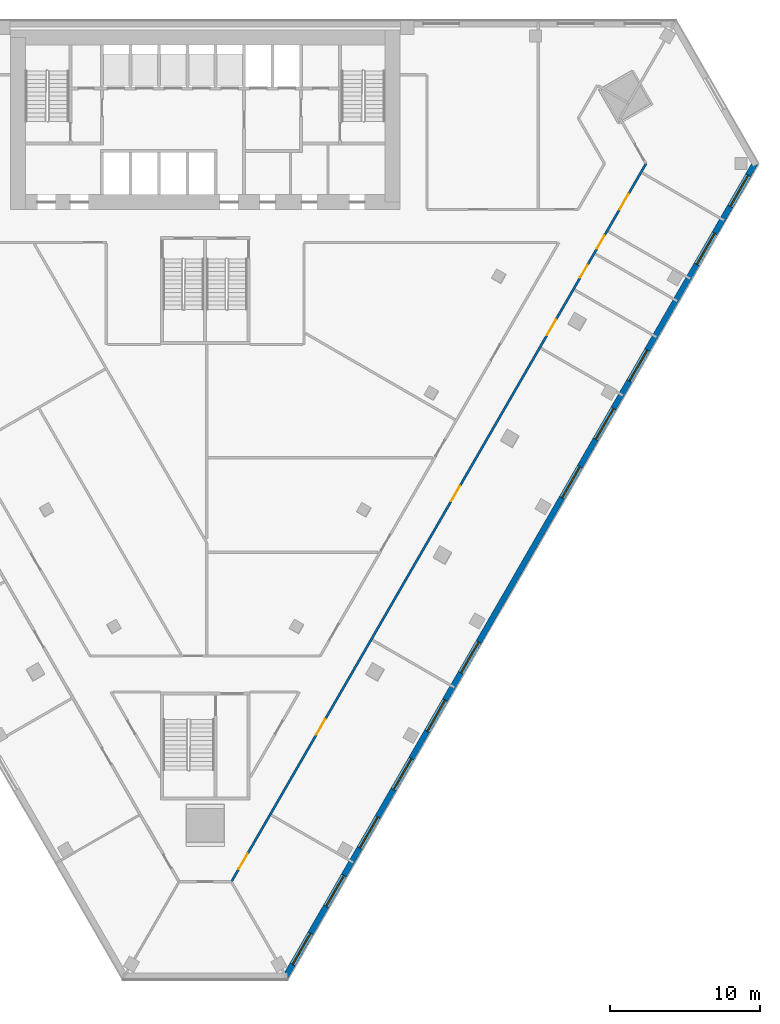
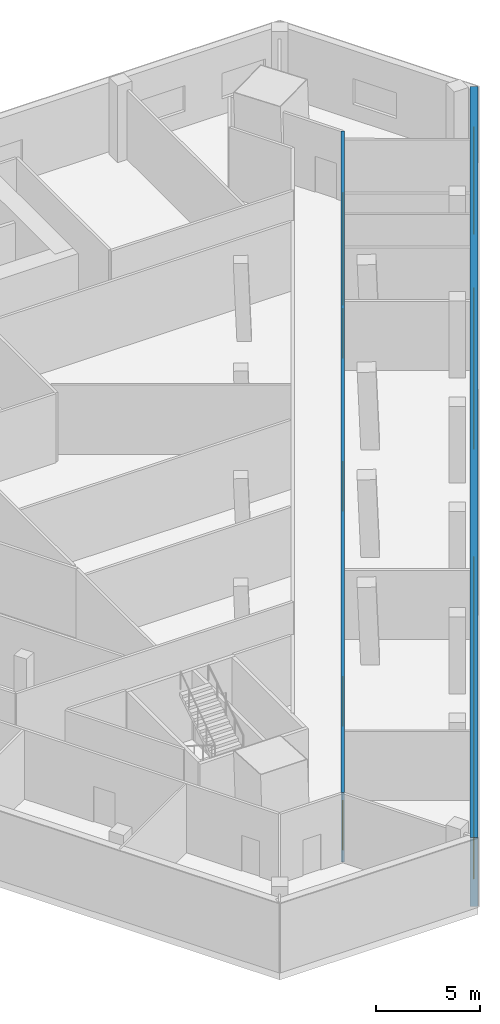
# One storey, part 3 of 9: 11 windows, 7 doors, 2 walls, 18 openings.
"""IFC4 building model written with IfcOpenShell, lengths in metres."""

import ifcopenshell
import ifcopenshell.guid

model = None  # the IFC model being written
_history = None  # IfcOwnerHistory: only IFC2X3 demands one
_inside = {}  # id of a spatial element -> (the spatial element, [elements in it])
_under = {}  # id of a project, library or spatial element -> (it, [spatial elements below it])
_declared = {}  # id of a project -> (the project, [libraries it declares])
_typed = {}  # id of a type object -> (the type object, [elements of that type])
_made_of = {}  # id of a material, layer set ... -> (it, [elements and type objects made of it])


def new_model(schema):
    """Start an empty IFC model of exactly this schema.

    Asked for "IFC4X3", IfcOpenShell would pick the latest addendum, in which some entities
    have other attributes; the version numbers below select the first issue.
    IFC2X3 requires an IfcOwnerHistory on every rooted entity: one is made here for all.
    """
    global model, _history
    if schema == "IFC4X3":
        model = ifcopenshell.file(schema_version=(4, 3, 0, 0))
    else:
        model = ifcopenshell.file(schema=schema)
    _inside.clear()
    _under.clear()
    _declared.clear()
    _typed.clear()
    _made_of.clear()
    _history = None
    if model.schema == "IFC2X3":
        org = make("IfcOrganization", Name="unknown")
        user = make(
            "IfcPersonAndOrganization",
            ThePerson=make("IfcPerson", FamilyName="unknown"),
            TheOrganization=org,
        )
        app = make(
            "IfcApplication",
            ApplicationDeveloper=org,
            Version="unknown",
            ApplicationFullName="unknown",
            ApplicationIdentifier="unknown",
        )
        _history = make(
            "IfcOwnerHistory",
            OwningUser=user,
            OwningApplication=app,
            ChangeAction="ADDED",
            CreationDate=0,
        )
    return model


def make(cls, **values):
    """One entity of the class cls with the attributes given. An attribute that is None is left unset."""
    return model.create_entity(
        cls, **{name: value for name, value in values.items() if value is not None}
    )


def rooted(cls, **values):
    """An entity with a GlobalId (a new one), such as an element, a storey or a relation."""
    return make(cls, GlobalId=ifcopenshell.guid.new(), OwnerHistory=_history, **values)


def si_unit(unit_type, name, prefix=None):
    """IfcSIUnit, for example si_unit("LENGTHUNIT", "METRE", prefix="MILLI")."""
    return make("IfcSIUnit", UnitType=unit_type, Prefix=prefix, Name=name)


def assignment(units):
    """IfcUnitAssignment: the units of a project."""
    return None if units is None else make("IfcUnitAssignment", Units=units)


def point(xyz):
    """IfcCartesianPoint."""
    return None if xyz is None else make("IfcCartesianPoint", Coordinates=xyz)


def direction(xyz):
    """IfcDirection."""
    return None if xyz is None else make("IfcDirection", DirectionRatios=xyz)


def frame(location, z_axis=None, x_axis=None):
    """IfcAxis2Placement3D, a coordinate frame: its origin and axes. An axis left out is left unset."""
    return make(
        "IfcAxis2Placement3D",
        Location=point(location),
        Axis=direction(z_axis),
        RefDirection=direction(x_axis),
    )


def frame_2d(location, x_axis=None):
    """IfcAxis2Placement2D, a coordinate frame in the plane: its origin and x axis."""
    return make(
        "IfcAxis2Placement2D", Location=point(location), RefDirection=direction(x_axis)
    )


def origin():
    """The frame at (0, 0, 0) with its axes left unset."""
    return frame((0.0, 0.0, 0.0))


def place(relative_to, where):
    """IfcLocalPlacement: puts the frame where relative to a parent placement (None: the world)."""
    return make(
        "IfcLocalPlacement", PlacementRelTo=relative_to, RelativePlacement=where
    )


def context(
    kind, dimensions, precision=None, world=None, true_north=None, identifier=None
):
    """IfcGeometricRepresentationContext, for example the 3D "Model" context."""
    return make(
        "IfcGeometricRepresentationContext",
        ContextIdentifier=identifier,
        ContextType=kind,
        CoordinateSpaceDimension=dimensions,
        Precision=precision,
        WorldCoordinateSystem=world,
        TrueNorth=true_north,
    )


def subcontext(parent, identifier, kind, view, scale=None):
    """IfcGeometricRepresentationSubContext, for example "Body" below "Model"."""
    return make(
        "IfcGeometricRepresentationSubContext",
        ContextIdentifier=identifier,
        ContextType=kind,
        ParentContext=parent,
        TargetScale=scale,
        TargetView=view,
    )


def project(units=None, contexts=None):
    """IfcProject with its units and contexts."""
    return rooted(
        "IfcProject",
        Name="project",
        RepresentationContexts=contexts,
        UnitsInContext=assignment(units),
    )


def spatial(cls, under=None, at=None, **own):
    """A site, building, storey or space (cls), placed at a placement, below another one or the project."""
    s = rooted(cls, ObjectPlacement=at, **own)
    if under is not None:
        _under.setdefault(under.id(), (under, []))[1].append(s)
    return s


def profile(cls, at=None, kind="AREA", **sizes):
    """A parametric profile (cls). Its sizes go by their IFC names, for example OverallWidth=200.0."""
    return make(cls, ProfileType=kind, Position=at, **sizes)


def rectangle(**sizes):
    """IfcRectangleProfileDef."""
    return profile("IfcRectangleProfileDef", **sizes)


def extrude(swept, where, along, depth):
    """IfcExtrudedAreaSolid: the profile swept, set in the frame where, extruded along a direction by depth."""
    return make(
        "IfcExtrudedAreaSolid",
        SweptArea=swept,
        Position=where,
        ExtrudedDirection=direction(along),
        Depth=depth,
    )


def shape(context_of_items, identifier, shape_type, items):
    """IfcShapeRepresentation: the items that make up one representation, for example the "Body"."""
    return make(
        "IfcShapeRepresentation",
        ContextOfItems=context_of_items,
        RepresentationIdentifier=identifier,
        RepresentationType=shape_type,
        Items=items,
    )


def material(Name=None, Category=None):
    """IfcMaterial."""
    return make("IfcMaterial", Name=Name, Category=Category)


def layer(
    of_material, thickness, ventilated=None, Name=None, Category=None, Priority=None
):
    """IfcMaterialLayer: one layer of a wall or slab, of a material (None: an air gap)."""
    return make(
        "IfcMaterialLayer",
        Material=of_material,
        LayerThickness=thickness,
        IsVentilated=ventilated,
        Name=Name,
        Category=Category,
        Priority=Priority,
    )


def layer_set(layers, Name=None):
    """IfcMaterialLayerSet."""
    return make("IfcMaterialLayerSet", MaterialLayers=layers, LayerSetName=Name)


def made_of(thing, what):
    """Note that an element or type object is made of a material, layer set ...; save() writes the relation."""
    if what is not None:
        _made_of.setdefault(what.id(), (what, []))[1].append(thing)
    return thing


def type_object(cls, material=None, **own):
    """A type object (cls), such as IfcWallType, which elements share."""
    return made_of(rooted(cls, **own), material)


def element(
    cls,
    number,
    at=None,
    inside=None,
    cuts=None,
    type_object=None,
    material=None,
    context=None,
    identifier="Body",
    shape_type=None,
    held_by="IfcProductDefinitionShape",
    body=None,
    shapes=None,
    **own,
):
    """One element of the class cls, such as IfcWall. Its Tag is "e" and its number.

    at: its placement. inside: the storey or other place that contains it. cuts: it is an
    opening in that element (IfcRelVoidsElement). A single representation is given by context,
    identifier, shape_type and body (its items); several are given by shapes. held_by: the class
    of the entity that holds the representations. save() writes the other relations.
    """
    e = rooted(cls, Tag="e%d" % number, ObjectPlacement=at, **own)
    if body is not None:
        shapes = [shape(context, identifier, shape_type, body)]
    if shapes is not None:
        e.Representation = make(held_by, Representations=shapes)
    if inside is not None:
        _inside.setdefault(inside.id(), (inside, []))[1].append(e)
    if cuts is not None:
        rooted(
            "IfcRelVoidsElement", RelatingBuildingElement=cuts, RelatedOpeningElement=e
        )
    if type_object is not None:
        _typed.setdefault(type_object.id(), (type_object, []))[1].append(e)
    return made_of(e, material)


def fill(opening, filler):
    """IfcRelFillsElement: the door or window that sits in an opening."""
    return rooted(
        "IfcRelFillsElement",
        RelatingOpeningElement=opening,
        RelatedBuildingElement=filler,
    )


def aggregate(whole, parts):
    """IfcRelAggregates: a whole, such as a stair, and the parts it consists of."""
    return rooted("IfcRelAggregates", RelatingObject=whole, RelatedObjects=parts)


def save(model, path):
    """Write the relations noted so far, then the file.

    IfcRelAggregates (storeys below a building ...), IfcRelContainedInSpatialStructure (elements
    in a storey), IfcRelDefinesByType, IfcRelAssociatesMaterial and IfcRelDeclares: one each for
    every whole, place, type object, material and project.
    """
    for whole, parts in _under.values():
        aggregate(whole, parts)
    for where, things in _inside.values():
        rooted(
            "IfcRelContainedInSpatialStructure",
            RelatedElements=things,
            RelatingStructure=where,
        )
    for kind, things in _typed.values():
        rooted("IfcRelDefinesByType", RelatedObjects=things, RelatingType=kind)
    for what, things in _made_of.values():
        rooted("IfcRelAssociatesMaterial", RelatedObjects=things, RelatingMaterial=what)
    for by, libraries in _declared.values():
        rooted("IfcRelDeclares", RelatingContext=by, RelatedDefinitions=libraries)
    model.write(path)


model = new_model("IFC4")

# Units and contexts
model_context = context("Model", 3, precision=1e-05, world=origin(), true_north=direction((0.0, 1.0)))
body_context = subcontext(model_context, "Body", "Model", "MODEL_VIEW")
ifc_project = project(units=[si_unit("LENGTHUNIT", "METRE"), si_unit("AREAUNIT", "SQUARE_METRE"), si_unit("VOLUMEUNIT", "CUBIC_METRE"), si_unit("PLANEANGLEUNIT", "RADIAN"), si_unit("MASSUNIT", "GRAM", prefix="KILO")], contexts=[model_context])

# Site, building, storey
site_placement = place(None, origin())
site = spatial("IfcSite", under=ifc_project, at=site_placement, CompositionType="ELEMENT")
building_placement = place(site_placement, origin())
building = spatial("IfcBuilding", under=site, at=building_placement, Name="Altiplano Prism Tower", CompositionType="ELEMENT")
storey_placement = place(building_placement, frame((0.0, 0.0, 13.5)))
storey = spatial("IfcBuildingStorey", under=building, at=storey_placement, Name="L02", CompositionType="ELEMENT", Elevation=13.5)

# Wall, openings, doors
ifc_material_1 = material(Name="Plasterboard on steel stud", Category="steel")
ifc_layer_1 = layer(ifc_material_1, 0.14990234375)
ifc_layer_set_1 = layer_set([ifc_layer_1], Name="Plasterboard on steel stud")
wall_type_1 = type_object("IfcWallType", Name="Partition 150 corridor", PredefinedType="PARTITIONING", material=ifc_layer_set_1)
wall_1_placement = place(storey_placement, frame((86.747314453125, 47.5263671875, 0.0), z_axis=(0.0, 0.0, 1.0), x_axis=(0.500000085768, 0.866025354266, 0.0)))
wall_1 = element("IfcWall", 1, at=wall_1_placement, inside=storey, type_object=wall_type_1, Name="Partition P06 L02 005", PredefinedType="PARTITIONING", context=body_context, shape_type="SweptSolid", body=[
    extrude(rectangle(XDim=55.36474609375, YDim=0.14990234375, at=frame_2d((27.682373046875, 0.0))), origin(), (0.0, 0.0, 1.0), 4.050048828125),
])
opening_1_placement = place(wall_1_placement, frame((0.969970703125, 0.0, 0.0)))
opening_1 = element("IfcOpeningElement", 2, at=opening_1_placement, cuts=wall_1, Name="Opening D0060", PredefinedType="OPENING", context=body_context, shape_type="SweptSolid", body=[
    extrude(rectangle(XDim=1.199951171875, YDim=2.10009765625, at=frame_2d((0.60009765625, 1.050048828125))), frame((0.0, 0.08544921875, 0.0), z_axis=(0.0, -1.0, 0.0), x_axis=(1.0, 0.0, 0.0)), (0.0, 0.0, 1.0), 0.1708984375),
])
opening_2_placement = place(wall_1_placement, frame((11.33203125, 0.0, 0.0)))
opening_2 = element("IfcOpeningElement", 3, at=opening_2_placement, cuts=wall_1, Name="Opening D0061", PredefinedType="OPENING", context=body_context, shape_type="SweptSolid", body=[
    extrude(rectangle(XDim=1.199951171875, YDim=2.10009765625, at=frame_2d((0.60009765625, 1.050048828125))), frame((0.0, 0.08544921875, 0.0), z_axis=(0.0, -1.0, 0.0), x_axis=(1.0, 0.0, 0.0)), (0.0, 0.0, 1.0), 0.1708984375),
])
opening_3_placement = place(wall_1_placement, frame((29.33203125, 0.0, 0.0)))
opening_3 = element("IfcOpeningElement", 4, at=opening_3_placement, cuts=wall_1, Name="Opening D0062", PredefinedType="OPENING", context=body_context, shape_type="SweptSolid", body=[
    extrude(rectangle(XDim=1.199951171875, YDim=2.10009765625, at=frame_2d((0.60009765625, 1.050048828125))), frame((0.0, 0.08544921875, 0.0), z_axis=(0.0, -1.0, 0.0), x_axis=(1.0, 0.0, 0.0)), (0.0, 0.0, 1.0), 0.1708984375),
])
opening_4_placement = place(wall_1_placement, frame((42.132080078125, 0.0, 0.0)))
opening_4 = element("IfcOpeningElement", 5, at=opening_4_placement, cuts=wall_1, Name="Opening D0063", PredefinedType="OPENING", context=body_context, shape_type="SweptSolid", body=[
    extrude(rectangle(XDim=1.199951171875, YDim=2.10009765625, at=frame_2d((0.60009765625, 1.050048828125))), frame((0.0, 0.08544921875, 0.0), z_axis=(0.0, -1.0, 0.0), x_axis=(1.0, 0.0, 0.0)), (0.0, 0.0, 1.0), 0.1708984375),
])
opening_5_placement = place(wall_1_placement, frame((46.569091796875, 0.0, 0.0)))
opening_5 = element("IfcOpeningElement", 6, at=opening_5_placement, cuts=wall_1, Name="Opening D0064", PredefinedType="OPENING", context=body_context, shape_type="SweptSolid", body=[
    extrude(rectangle(XDim=1.0, YDim=2.10009765625, at=frame_2d((0.5, 1.050048828125))), frame((0.0, 0.08544921875, 0.0), z_axis=(0.0, -1.0, 0.0), x_axis=(1.0, 0.0, 0.0)), (0.0, 0.0, 1.0), 0.1708984375),
])
opening_6_placement = place(wall_1_placement, frame((48.819091796875, 0.0, 0.0)))
opening_6 = element("IfcOpeningElement", 7, at=opening_6_placement, cuts=wall_1, Name="Opening D0065", PredefinedType="OPENING", context=body_context, shape_type="SweptSolid", body=[
    extrude(rectangle(XDim=1.0, YDim=2.10009765625, at=frame_2d((0.5, 1.050048828125))), frame((0.0, 0.08544921875, 0.0), z_axis=(0.0, -1.0, 0.0), x_axis=(1.0, 0.0, 0.0)), (0.0, 0.0, 1.0), 0.1708984375),
])
opening_7_placement = place(wall_1_placement, frame((51.8369140625, 0.0, 0.0)))
opening_7 = element("IfcOpeningElement", 8, at=opening_7_placement, cuts=wall_1, Name="Opening D0066", PredefinedType="OPENING", context=body_context, shape_type="SweptSolid", body=[
    extrude(rectangle(XDim=1.199951171875, YDim=2.10009765625, at=frame_2d((0.60009765625, 1.050048828125))), frame((0.0, 0.08544921875, 0.0), z_axis=(0.0, -1.0, 0.0), x_axis=(1.0, 0.0, 0.0)), (0.0, 0.0, 1.0), 0.1708984375),
])
ifc_material_2 = material(Name="Timber", Category="wood")
door_type_1 = type_object("IfcDoorType", Name="Shared room door 1200 x 2100", OperationType="NOTDEFINED", PredefinedType="NOTDEFINED", material=ifc_material_2)
door_1_placement = place(opening_1_placement, origin())
door_1 = element("IfcDoor", 9, at=door_1_placement, inside=storey, type_object=door_type_1, Name="Door D0060", OperationType="SINGLE_SWING_LEFT", OverallHeight=2.10009765625, OverallWidth=1.199951171875, PredefinedType="NOTDEFINED", context=body_context, shape_type="SweptSolid", body=[
    extrude(rectangle(XDim=1.199951171875, YDim=2.10009765625, at=frame_2d((0.60009765625, 1.050048828125))), frame((0.0, 0.02490234375, 0.0), z_axis=(0.0, -1.0, 0.0), x_axis=(1.0, 0.0, 0.0)), (0.0, 0.0, 1.0), 0.050048828125),
])
fill(opening_1, door_1)
door_2_placement = place(opening_2_placement, origin())
door_2 = element("IfcDoor", 10, at=door_2_placement, inside=storey, type_object=door_type_1, Name="Door D0061", OperationType="SINGLE_SWING_RIGHT", OverallHeight=2.10009765625, OverallWidth=1.199951171875, PredefinedType="NOTDEFINED", context=body_context, shape_type="SweptSolid", body=[
    extrude(rectangle(XDim=1.199951171875, YDim=2.10009765625, at=frame_2d((0.60009765625, 1.050048828125))), frame((0.0, 0.02490234375, 0.0), z_axis=(0.0, -1.0, 0.0), x_axis=(1.0, 0.0, 0.0)), (0.0, 0.0, 1.0), 0.050048828125),
])
fill(opening_2, door_2)
door_3_placement = place(opening_3_placement, origin())
door_3 = element("IfcDoor", 11, at=door_3_placement, inside=storey, type_object=door_type_1, Name="Door D0062", OperationType="SINGLE_SWING_LEFT", OverallHeight=2.10009765625, OverallWidth=1.199951171875, PredefinedType="NOTDEFINED", context=body_context, shape_type="SweptSolid", body=[
    extrude(rectangle(XDim=1.199951171875, YDim=2.10009765625, at=frame_2d((0.60009765625, 1.050048828125))), frame((0.0, 0.02490234375, 0.0), z_axis=(0.0, -1.0, 0.0), x_axis=(1.0, 0.0, 0.0)), (0.0, 0.0, 1.0), 0.050048828125),
])
fill(opening_3, door_3)
door_4_placement = place(opening_4_placement, origin())
door_4 = element("IfcDoor", 12, at=door_4_placement, inside=storey, type_object=door_type_1, Name="Door D0063", OperationType="SINGLE_SWING_RIGHT", OverallHeight=2.10009765625, OverallWidth=1.199951171875, PredefinedType="NOTDEFINED", context=body_context, shape_type="SweptSolid", body=[
    extrude(rectangle(XDim=1.199951171875, YDim=2.10009765625, at=frame_2d((0.60009765625, 1.050048828125))), frame((0.0, 0.02490234375, 0.0), z_axis=(0.0, -1.0, 0.0), x_axis=(1.0, 0.0, 0.0)), (0.0, 0.0, 1.0), 0.050048828125),
])
fill(opening_4, door_4)
door_5_placement = place(opening_7_placement, origin())
door_5 = element("IfcDoor", 13, at=door_5_placement, inside=storey, type_object=door_type_1, Name="Door D0066", OperationType="SINGLE_SWING_LEFT", OverallHeight=2.10009765625, OverallWidth=1.199951171875, PredefinedType="NOTDEFINED", context=body_context, shape_type="SweptSolid", body=[
    extrude(rectangle(XDim=1.199951171875, YDim=2.10009765625, at=frame_2d((0.60009765625, 1.050048828125))), frame((0.0, 0.02490234375, 0.0), z_axis=(0.0, -1.0, 0.0), x_axis=(1.0, 0.0, 0.0)), (0.0, 0.0, 1.0), 0.050048828125),
])
fill(opening_7, door_5)
door_type_2 = type_object("IfcDoorType", Name="Store door 1000 x 2100", OperationType="NOTDEFINED", PredefinedType="NOTDEFINED", material=ifc_material_2)
door_6_placement = place(opening_5_placement, origin())
door_6 = element("IfcDoor", 14, at=door_6_placement, inside=storey, type_object=door_type_2, Name="Door D0064", OperationType="SINGLE_SWING_RIGHT", OverallHeight=2.10009765625, OverallWidth=1.0, PredefinedType="NOTDEFINED", context=body_context, shape_type="SweptSolid", body=[
    extrude(rectangle(XDim=1.0, YDim=2.10009765625, at=frame_2d((0.5, 1.050048828125))), frame((0.0, 0.02490234375, 0.0), z_axis=(0.0, -1.0, 0.0), x_axis=(1.0, 0.0, 0.0)), (0.0, 0.0, 1.0), 0.050048828125),
])
fill(opening_5, door_6)
door_7_placement = place(opening_6_placement, origin())
door_7 = element("IfcDoor", 15, at=door_7_placement, inside=storey, type_object=door_type_2, Name="Door D0065", OperationType="SINGLE_SWING_LEFT", OverallHeight=2.10009765625, OverallWidth=1.0, PredefinedType="NOTDEFINED", context=body_context, shape_type="SweptSolid", body=[
    extrude(rectangle(XDim=1.0, YDim=2.10009765625, at=frame_2d((0.5, 1.050048828125))), frame((0.0, 0.02490234375, 0.0), z_axis=(0.0, -1.0, 0.0), x_axis=(1.0, 0.0, 0.0)), (0.0, 0.0, 1.0), 0.050048828125),
])
fill(opening_6, door_7)

# Wall, openings, windows
ifc_material_3 = material(Name="Concrete C40", Category="concrete")
ifc_layer_2 = layer(ifc_material_3, 0.39990234375)
ifc_layer_set_2 = layer_set([ifc_layer_2], Name="Concrete C40")
wall_type_2 = type_object("IfcWallType", Name="Stone-clad podium wall 400", PredefinedType="SOLIDWALL", material=ifc_layer_set_2)
wall_2_placement = place(storey_placement, frame((121.761962890625, 95.57373046875, 0.0), z_axis=(0.0, 0.0, 1.0), x_axis=(-0.499997306052, -0.866026959131, 0.0)))
wall_2 = element("IfcWall", 16, at=wall_2_placement, inside=storey, type_object=wall_type_2, Name="External wall south-east face L02", PredefinedType="SOLIDWALL", context=body_context, shape_type="SweptSolid", body=[
    extrude(rectangle(XDim=62.870361328125, YDim=0.39990234375, at=frame_2d((31.43505859375, 0.0))), origin(), (0.0, 0.0, 1.0), 4.050048828125),
])
opening_8_placement = place(wall_2_placement, frame((59.452392578125, 0.0, 0.89990234375)))
opening_8 = element("IfcOpeningElement", 17, at=opening_8_placement, cuts=wall_2, Name="Opening W1", PredefinedType="OPENING", context=body_context, shape_type="SweptSolid", body=[
    extrude(rectangle(XDim=2.39990234375, YDim=1.5, at=frame_2d((1.199951171875, 0.75))), frame((0.0, 0.21044921875, 0.0), z_axis=(0.0, -1.0, 0.0), x_axis=(1.0, 0.0, 0.0)), (0.0, 0.0, 1.0), 0.4208984375),
])
opening_9_placement = place(wall_2_placement, frame((54.985595703125, 0.0, 0.89990234375)))
opening_9 = element("IfcOpeningElement", 18, at=opening_9_placement, cuts=wall_2, Name="Opening W1", PredefinedType="OPENING", context=body_context, shape_type="SweptSolid", body=[
    extrude(rectangle(XDim=2.39990234375, YDim=1.5, at=frame_2d((1.199951171875, 0.75))), frame((0.0, 0.21044921875, 0.0), z_axis=(0.0, -1.0, 0.0), x_axis=(1.0, 0.0, 0.0)), (0.0, 0.0, 1.0), 0.4208984375),
])
opening_10_placement = place(wall_2_placement, frame((50.485595703125, 0.0, 0.89990234375)))
opening_10 = element("IfcOpeningElement", 19, at=opening_10_placement, cuts=wall_2, Name="Opening W1", PredefinedType="OPENING", context=body_context, shape_type="SweptSolid", body=[
    extrude(rectangle(XDim=2.39990234375, YDim=1.5, at=frame_2d((1.199951171875, 0.75))), frame((0.0, 0.21044921875, 0.0), z_axis=(0.0, -1.0, 0.0), x_axis=(1.0, 0.0, 0.0)), (0.0, 0.0, 1.0), 0.4208984375),
])
opening_11_placement = place(wall_2_placement, frame((45.985595703125, 0.0, 0.89990234375)))
opening_11 = element("IfcOpeningElement", 20, at=opening_11_placement, cuts=wall_2, Name="Opening W1", PredefinedType="OPENING", context=body_context, shape_type="SweptSolid", body=[
    extrude(rectangle(XDim=2.39990234375, YDim=1.5, at=frame_2d((1.199951171875, 0.75))), frame((0.0, 0.21044921875, 0.0), z_axis=(0.0, -1.0, 0.0), x_axis=(1.0, 0.0, 0.0)), (0.0, 0.0, 1.0), 0.4208984375),
])
opening_12_placement = place(wall_2_placement, frame((41.485595703125, 0.0, 0.89990234375)))
opening_12 = element("IfcOpeningElement", 21, at=opening_12_placement, cuts=wall_2, Name="Opening W1", PredefinedType="OPENING", context=body_context, shape_type="SweptSolid", body=[
    extrude(rectangle(XDim=2.39990234375, YDim=1.5, at=frame_2d((1.199951171875, 0.75))), frame((0.0, 0.21044921875, 0.0), z_axis=(0.0, -1.0, 0.0), x_axis=(1.0, 0.0, 0.0)), (0.0, 0.0, 1.0), 0.4208984375),
])
opening_13_placement = place(wall_2_placement, frame((36.985595703125, 0.0, 0.89990234375)))
opening_13 = element("IfcOpeningElement", 22, at=opening_13_placement, cuts=wall_2, Name="Opening W1", PredefinedType="OPENING", context=body_context, shape_type="SweptSolid", body=[
    extrude(rectangle(XDim=2.39990234375, YDim=1.5, at=frame_2d((1.199951171875, 0.75))), frame((0.0, 0.21044921875, 0.0), z_axis=(0.0, -1.0, 0.0), x_axis=(1.0, 0.0, 0.0)), (0.0, 0.0, 1.0), 0.4208984375),
])
opening_14_placement = place(wall_2_placement, frame((23.485595703125, 0.0, 0.89990234375)))
opening_14 = element("IfcOpeningElement", 23, at=opening_14_placement, cuts=wall_2, Name="Opening W1", PredefinedType="OPENING", context=body_context, shape_type="SweptSolid", body=[
    extrude(rectangle(XDim=2.39990234375, YDim=1.5, at=frame_2d((1.199951171875, 0.75))), frame((0.0, 0.21044921875, 0.0), z_axis=(0.0, -1.0, 0.0), x_axis=(1.0, 0.0, 0.0)), (0.0, 0.0, 1.0), 0.4208984375),
])
opening_15_placement = place(wall_2_placement, frame((18.985595703125, 0.0, 0.89990234375)))
opening_15 = element("IfcOpeningElement", 24, at=opening_15_placement, cuts=wall_2, Name="Opening W1", PredefinedType="OPENING", context=body_context, shape_type="SweptSolid", body=[
    extrude(rectangle(XDim=2.39990234375, YDim=1.5, at=frame_2d((1.199951171875, 0.75))), frame((0.0, 0.21044921875, 0.0), z_axis=(0.0, -1.0, 0.0), x_axis=(1.0, 0.0, 0.0)), (0.0, 0.0, 1.0), 0.4208984375),
])
opening_16_placement = place(wall_2_placement, frame((14.485595703125, 0.0, 0.89990234375)))
opening_16 = element("IfcOpeningElement", 25, at=opening_16_placement, cuts=wall_2, Name="Opening W1", PredefinedType="OPENING", context=body_context, shape_type="SweptSolid", body=[
    extrude(rectangle(XDim=2.39990234375, YDim=1.5, at=frame_2d((1.199951171875, 0.75))), frame((0.0, 0.21044921875, 0.0), z_axis=(0.0, -1.0, 0.0), x_axis=(1.0, 0.0, 0.0)), (0.0, 0.0, 1.0), 0.4208984375),
])
opening_17_placement = place(wall_2_placement, frame((5.485595703125, 0.0, 0.89990234375)))
opening_17 = element("IfcOpeningElement", 26, at=opening_17_placement, cuts=wall_2, Name="Opening W1", PredefinedType="OPENING", context=body_context, shape_type="SweptSolid", body=[
    extrude(rectangle(XDim=2.39990234375, YDim=1.5, at=frame_2d((1.199951171875, 0.75))), frame((0.0, 0.21044921875, 0.0), z_axis=(0.0, -1.0, 0.0), x_axis=(1.0, 0.0, 0.0)), (0.0, 0.0, 1.0), 0.4208984375),
])
opening_18_placement = place(wall_2_placement, frame((1.017578125, 0.0, 0.89990234375)))
opening_18 = element("IfcOpeningElement", 27, at=opening_18_placement, cuts=wall_2, Name="Opening W1", PredefinedType="OPENING", context=body_context, shape_type="SweptSolid", body=[
    extrude(rectangle(XDim=2.39990234375, YDim=1.5, at=frame_2d((1.199951171875, 0.75))), frame((0.0, 0.21044921875, 0.0), z_axis=(0.0, -1.0, 0.0), x_axis=(1.0, 0.0, 0.0)), (0.0, 0.0, 1.0), 0.4208984375),
])
ifc_material_4 = material(Name="Glass", Category="glass")
window_type = type_object("IfcWindowType", Name="Window 2400 x 1500", PartitioningType="SINGLE_PANEL", PredefinedType="WINDOW", material=ifc_material_4)
window_1_placement = place(opening_8_placement, origin())
window_1 = element("IfcWindow", 28, at=window_1_placement, inside=storey, type_object=window_type, Name="Podium window L02", OverallHeight=1.5, OverallWidth=2.39990234375, PartitioningType="SINGLE_PANEL", PredefinedType="WINDOW", context=body_context, shape_type="SweptSolid", body=[
    extrude(rectangle(XDim=2.39990234375, YDim=1.5, at=frame_2d((1.199951171875, 0.75))), frame((0.0, 0.030029296875, 0.0), z_axis=(0.0, -1.0, 0.0), x_axis=(1.0, 0.0, 0.0)), (0.0, 0.0, 1.0), 0.06005859375),
])
fill(opening_8, window_1)
window_2_placement = place(opening_9_placement, origin())
window_2 = element("IfcWindow", 29, at=window_2_placement, inside=storey, type_object=window_type, Name="Podium window L02", OverallHeight=1.5, OverallWidth=2.39990234375, PartitioningType="SINGLE_PANEL", PredefinedType="WINDOW", context=body_context, shape_type="SweptSolid", body=[
    extrude(rectangle(XDim=2.39990234375, YDim=1.5, at=frame_2d((1.199951171875, 0.75))), frame((0.0, 0.030029296875, 0.0), z_axis=(0.0, -1.0, 0.0), x_axis=(1.0, 0.0, 0.0)), (0.0, 0.0, 1.0), 0.06005859375),
])
fill(opening_9, window_2)
window_3_placement = place(opening_10_placement, origin())
window_3 = element("IfcWindow", 30, at=window_3_placement, inside=storey, type_object=window_type, Name="Podium window L02", OverallHeight=1.5, OverallWidth=2.39990234375, PartitioningType="SINGLE_PANEL", PredefinedType="WINDOW", context=body_context, shape_type="SweptSolid", body=[
    extrude(rectangle(XDim=2.39990234375, YDim=1.5, at=frame_2d((1.199951171875, 0.75))), frame((0.0, 0.030029296875, 0.0), z_axis=(0.0, -1.0, 0.0), x_axis=(1.0, 0.0, 0.0)), (0.0, 0.0, 1.0), 0.06005859375),
])
fill(opening_10, window_3)
window_4_placement = place(opening_11_placement, origin())
window_4 = element("IfcWindow", 31, at=window_4_placement, inside=storey, type_object=window_type, Name="Podium window L02", OverallHeight=1.5, OverallWidth=2.39990234375, PartitioningType="SINGLE_PANEL", PredefinedType="WINDOW", context=body_context, shape_type="SweptSolid", body=[
    extrude(rectangle(XDim=2.39990234375, YDim=1.5, at=frame_2d((1.199951171875, 0.75))), frame((0.0, 0.030029296875, 0.0), z_axis=(0.0, -1.0, 0.0), x_axis=(1.0, 0.0, 0.0)), (0.0, 0.0, 1.0), 0.06005859375),
])
fill(opening_11, window_4)
window_5_placement = place(opening_12_placement, origin())
window_5 = element("IfcWindow", 32, at=window_5_placement, inside=storey, type_object=window_type, Name="Podium window L02", OverallHeight=1.5, OverallWidth=2.39990234375, PartitioningType="SINGLE_PANEL", PredefinedType="WINDOW", context=body_context, shape_type="SweptSolid", body=[
    extrude(rectangle(XDim=2.39990234375, YDim=1.5, at=frame_2d((1.199951171875, 0.75))), frame((0.0, 0.030029296875, 0.0), z_axis=(0.0, -1.0, 0.0), x_axis=(1.0, 0.0, 0.0)), (0.0, 0.0, 1.0), 0.06005859375),
])
fill(opening_12, window_5)
window_6_placement = place(opening_13_placement, origin())
window_6 = element("IfcWindow", 33, at=window_6_placement, inside=storey, type_object=window_type, Name="Podium window L02", OverallHeight=1.5, OverallWidth=2.39990234375, PartitioningType="SINGLE_PANEL", PredefinedType="WINDOW", context=body_context, shape_type="SweptSolid", body=[
    extrude(rectangle(XDim=2.39990234375, YDim=1.5, at=frame_2d((1.199951171875, 0.75))), frame((0.0, 0.030029296875, 0.0), z_axis=(0.0, -1.0, 0.0), x_axis=(1.0, 0.0, 0.0)), (0.0, 0.0, 1.0), 0.06005859375),
])
fill(opening_13, window_6)
window_7_placement = place(opening_14_placement, origin())
window_7 = element("IfcWindow", 34, at=window_7_placement, inside=storey, type_object=window_type, Name="Podium window L02", OverallHeight=1.5, OverallWidth=2.39990234375, PartitioningType="SINGLE_PANEL", PredefinedType="WINDOW", context=body_context, shape_type="SweptSolid", body=[
    extrude(rectangle(XDim=2.39990234375, YDim=1.5, at=frame_2d((1.199951171875, 0.75))), frame((0.0, 0.030029296875, 0.0), z_axis=(0.0, -1.0, 0.0), x_axis=(1.0, 0.0, 0.0)), (0.0, 0.0, 1.0), 0.06005859375),
])
fill(opening_14, window_7)
window_8_placement = place(opening_15_placement, origin())
window_8 = element("IfcWindow", 35, at=window_8_placement, inside=storey, type_object=window_type, Name="Podium window L02", OverallHeight=1.5, OverallWidth=2.39990234375, PartitioningType="SINGLE_PANEL", PredefinedType="WINDOW", context=body_context, shape_type="SweptSolid", body=[
    extrude(rectangle(XDim=2.39990234375, YDim=1.5, at=frame_2d((1.199951171875, 0.75))), frame((0.0, 0.030029296875, 0.0), z_axis=(0.0, -1.0, 0.0), x_axis=(1.0, 0.0, 0.0)), (0.0, 0.0, 1.0), 0.06005859375),
])
fill(opening_15, window_8)
window_9_placement = place(opening_16_placement, origin())
window_9 = element("IfcWindow", 36, at=window_9_placement, inside=storey, type_object=window_type, Name="Podium window L02", OverallHeight=1.5, OverallWidth=2.39990234375, PartitioningType="SINGLE_PANEL", PredefinedType="WINDOW", context=body_context, shape_type="SweptSolid", body=[
    extrude(rectangle(XDim=2.39990234375, YDim=1.5, at=frame_2d((1.199951171875, 0.75))), frame((0.0, 0.030029296875, 0.0), z_axis=(0.0, -1.0, 0.0), x_axis=(1.0, 0.0, 0.0)), (0.0, 0.0, 1.0), 0.06005859375),
])
fill(opening_16, window_9)
window_10_placement = place(opening_17_placement, origin())
window_10 = element("IfcWindow", 37, at=window_10_placement, inside=storey, type_object=window_type, Name="Podium window L02", OverallHeight=1.5, OverallWidth=2.39990234375, PartitioningType="SINGLE_PANEL", PredefinedType="WINDOW", context=body_context, shape_type="SweptSolid", body=[
    extrude(rectangle(XDim=2.39990234375, YDim=1.5, at=frame_2d((1.199951171875, 0.75))), frame((0.0, 0.030029296875, 0.0), z_axis=(0.0, -1.0, 0.0), x_axis=(1.0, 0.0, 0.0)), (0.0, 0.0, 1.0), 0.06005859375),
])
fill(opening_17, window_10)
window_11_placement = place(opening_18_placement, origin())
window_11 = element("IfcWindow", 38, at=window_11_placement, inside=storey, type_object=window_type, Name="Podium window L02", OverallHeight=1.5, OverallWidth=2.39990234375, PartitioningType="SINGLE_PANEL", PredefinedType="WINDOW", context=body_context, shape_type="SweptSolid", body=[
    extrude(rectangle(XDim=2.39990234375, YDim=1.5, at=frame_2d((1.199951171875, 0.75))), frame((0.0, 0.030029296875, 0.0), z_axis=(0.0, -1.0, 0.0), x_axis=(1.0, 0.0, 0.0)), (0.0, 0.0, 1.0), 0.06005859375),
])
fill(opening_18, window_11)

save(model, "model.ifc")
